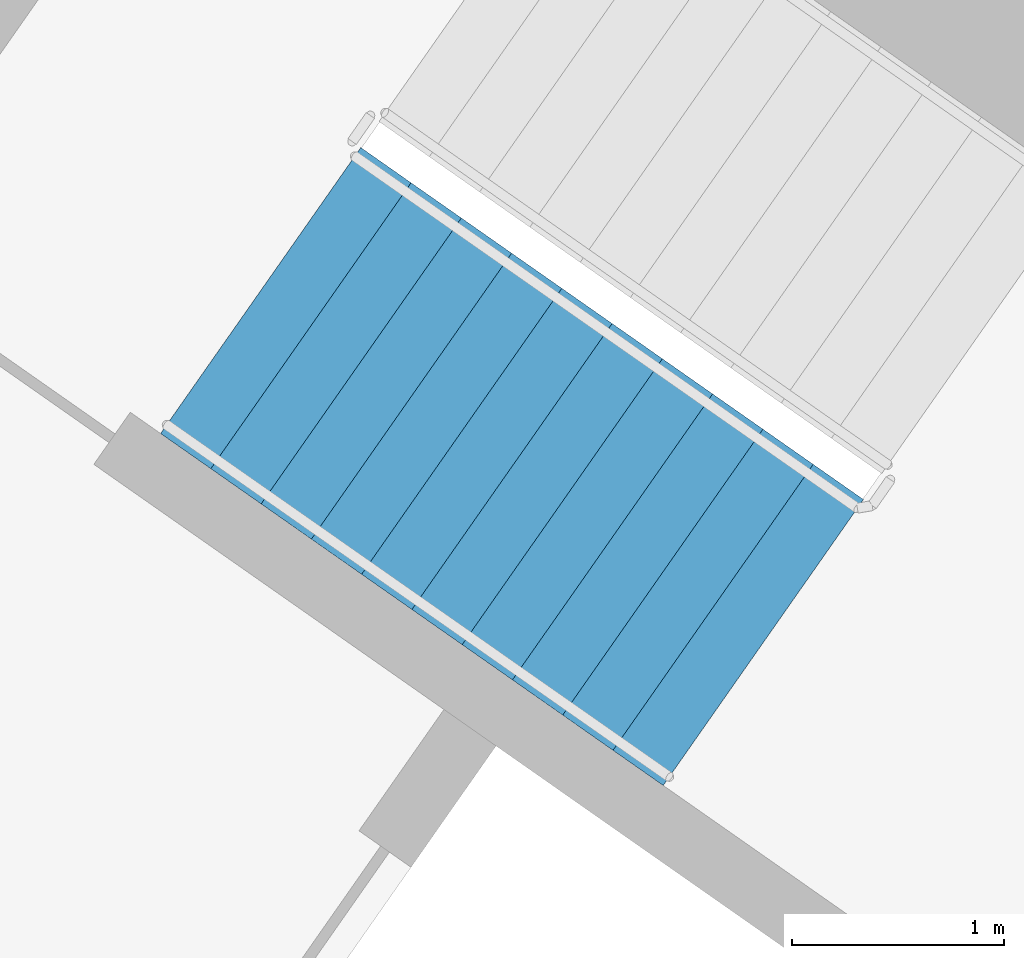
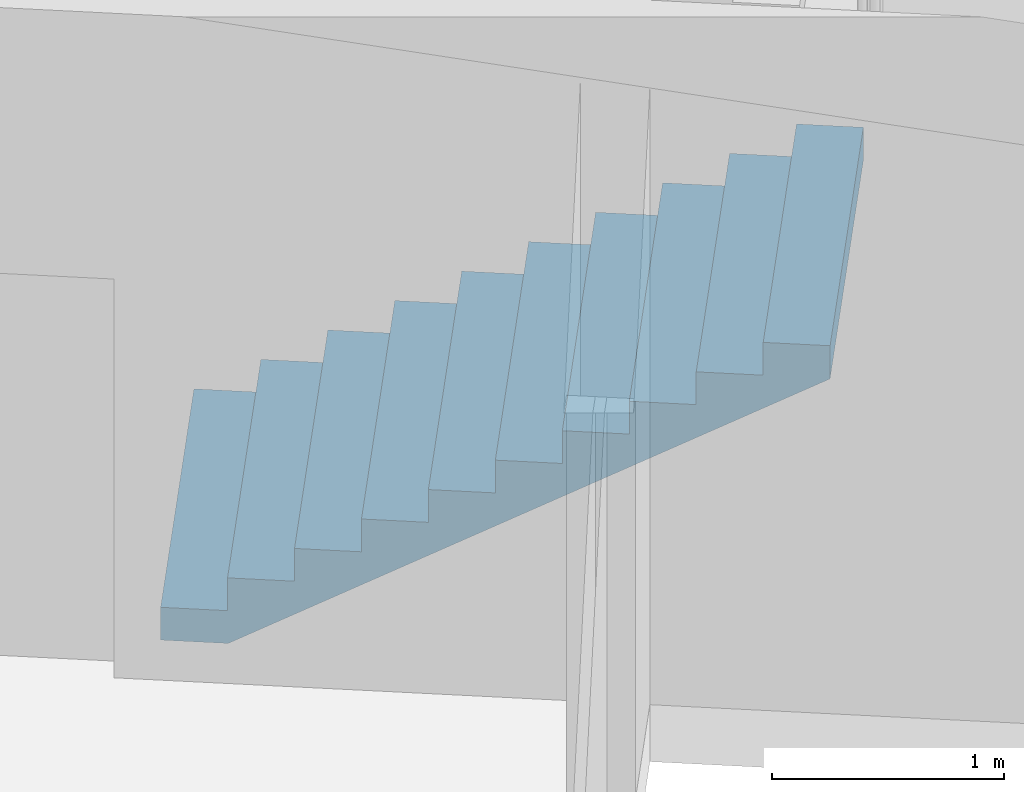
# One storey, part 12 of 29: 1 stair flight, 1 element without a shape of its own.
"""IFC4 building model written with IfcOpenShell, lengths in metres."""

from ifc_helpers import new_model, si_unit, direction, frame, origin, place, context, subcontext, project, spatial, faceted_brep, material, type_object, element, aggregate, save


model = new_model("IFC4")

# Units and contexts
model_context = context("Model", 3, precision=1e-05, world=origin(), true_north=direction((0.0, 1.0)))
body_context = subcontext(model_context, "Body", "Model", "MODEL_VIEW")
ifc_project = project(units=[si_unit("LENGTHUNIT", "METRE"), si_unit("AREAUNIT", "SQUARE_METRE"), si_unit("VOLUMEUNIT", "CUBIC_METRE"), si_unit("PLANEANGLEUNIT", "RADIAN"), si_unit("MASSUNIT", "GRAM", prefix="KILO")], contexts=[model_context])

# Site, building, storey
site_placement = place(None, origin())
site = spatial("IfcSite", under=ifc_project, at=site_placement, CompositionType="ELEMENT")
building_placement = place(site_placement, origin())
building = spatial("IfcBuilding", under=site, at=building_placement, Name="Qamariyya Broadcast Tower", CompositionType="ELEMENT")
storey_placement = place(building_placement, frame((0.0, 0.0, 44.300048828125)))
storey = spatial("IfcBuildingStorey", under=building, at=storey_placement, Name="L07", CompositionType="ELEMENT", Elevation=44.300048828125)

# Stair, stair flight
ifc_material = material(Name="Concrete C50/60", Category="concrete")
stair_type = type_object("IfcStairType", Name="Exit stair 22 risers of 173 mm", PredefinedType="HALF_TURN_STAIR", material=ifc_material)
stair_placement = place(storey_placement, origin())
stair = element("IfcStair", 1, at=stair_placement, inside=storey, type_object=stair_type, Name="L07 Stair W2", PredefinedType="HALF_TURN_STAIR")
stair_flight_type = type_object("IfcStairFlightType", Name="Exit stair flight 11 risers of 173 mm", PredefinedType="STRAIGHT", material=ifc_material)
stair_flight_placement = place(storey_placement, frame((-41.59130859375, -49.15966796875, 0.0), z_axis=(0.0, 0.0, 1.0), x_axis=(0.819152044289, -0.573576436351, 0.0)))
stair_flight = element("IfcStairFlight", 2, at=stair_flight_placement, type_object=stair_flight_type, Name="ST-W2 flight 1", NumberOfRisers=11, NumberOfTreads=10, PredefinedType="STRAIGHT", RiserHeight=0.172727273, TreadLength=0.29, context=body_context, shape_type="Brep", body=[
    faceted_brep([(0.0, 0.824951171875, 0.0), (0.0, 0.824951171875, 0.172607421875), (0.2900390625, 0.824951171875, 0.172607421875), (0.2900390625, 0.824951171875, 0.345458984375), (0.580078125, 0.824951171875, 0.345458984375), (0.580078125, 0.824951171875, 0.51806640625), (0.8701171875, 0.824951171875, 0.51806640625), (0.8701171875, 0.824951171875, 0.69091796875), (1.159912109375, 0.824951171875, 0.69091796875), (1.159912109375, 0.824951171875, 0.863525390625), (1.449951171875, 0.824951171875, 0.863525390625), (1.449951171875, 0.824951171875, 1.036376953125), (1.739990234375, 0.824951171875, 1.036376953125), (1.739990234375, 0.824951171875, 1.208984375), (2.030029296875, 0.824951171875, 1.208984375), (2.030029296875, 0.824951171875, 1.3818359375), (2.320068359375, 0.824951171875, 1.3818359375), (2.320068359375, 0.824951171875, 1.554443359375), (2.610107421875, 0.824951171875, 1.554443359375), (2.610107421875, 0.824951171875, 1.727294921875), (2.89990234375, 0.824951171875, 1.727294921875), (2.89990234375, 0.824951171875, 1.552734375), (0.29296875, 0.824951171875, 0.0), (0.29296875, -0.824951171875, 0.0), (2.89990234375, -0.824951171875, 1.552734375), (2.89990234375, -0.824951171875, 1.727294921875), (2.610107421875, -0.824951171875, 1.727294921875), (2.610107421875, -0.824951171875, 1.554443359375), (2.320068359375, -0.824951171875, 1.554443359375), (2.320068359375, -0.824951171875, 1.3818359375), (2.030029296875, -0.824951171875, 1.3818359375), (2.030029296875, -0.824951171875, 1.208984375), (1.739990234375, -0.824951171875, 1.208984375), (1.739990234375, -0.824951171875, 1.036376953125), (1.449951171875, -0.824951171875, 1.036376953125), (1.449951171875, -0.824951171875, 0.863525390625), (1.159912109375, -0.824951171875, 0.863525390625), (1.159912109375, -0.824951171875, 0.69091796875), (0.8701171875, -0.824951171875, 0.69091796875), (0.8701171875, -0.824951171875, 0.51806640625), (0.580078125, -0.824951171875, 0.51806640625), (0.580078125, -0.824951171875, 0.345458984375), (0.2900390625, -0.824951171875, 0.345458984375), (0.2900390625, -0.824951171875, 0.172607421875), (0.0, -0.824951171875, 0.172607421875), (0.0, -0.824951171875, 0.0), (0.0, 0.10009765625, 0.0), (0.0, 0.086669921875, 0.0), (0.0, 0.0732421875, 0.0), (0.0, 0.06005859375, 0.0), (0.0, 0.046630859375, 0.0), (0.0, 0.033447265625, 0.0), (0.0, 0.02001953125, 0.0), (0.0, 0.006591796875, 0.0), (0.0, -0.006591796875, 0.0), (0.0, -0.02001953125, 0.0), (0.0, -0.033447265625, 0.0), (0.0, -0.046630859375, 0.0), (0.0, -0.06005859375, 0.0), (0.0, -0.0732421875, 0.0), (0.0, -0.086669921875, 0.0), (0.0, -0.10009765625, 0.0), (0.0, -0.10009765625, 0.172607421875), (0.0, -0.086669921875, 0.172607421875), (0.0, -0.0732421875, 0.172607421875), (0.0, -0.06005859375, 0.172607421875), (0.0, -0.046630859375, 0.172607421875), (0.0, -0.033447265625, 0.172607421875), (0.0, -0.02001953125, 0.172607421875), (0.0, -0.006591796875, 0.172607421875), (0.0, 0.006591796875, 0.172607421875), (0.0, 0.02001953125, 0.172607421875), (0.0, 0.033447265625, 0.172607421875), (0.0, 0.046630859375, 0.172607421875), (0.0, 0.06005859375, 0.172607421875), (0.0, 0.0732421875, 0.172607421875), (0.0, 0.086669921875, 0.172607421875), (0.0, 0.10009765625, 0.172607421875), (0.2900390625, -0.10009765625, 0.172607421875), (0.2900390625, -0.086669921875, 0.172607421875), (0.2900390625, -0.0732421875, 0.172607421875), (0.2900390625, -0.06005859375, 0.172607421875), (0.2900390625, -0.046630859375, 0.172607421875), (0.2900390625, -0.033447265625, 0.172607421875), (0.2900390625, -0.02001953125, 0.172607421875), (0.2900390625, -0.006591796875, 0.172607421875), (0.2900390625, 0.006591796875, 0.172607421875), (0.2900390625, 0.02001953125, 0.172607421875), (0.2900390625, 0.033447265625, 0.172607421875), (0.2900390625, 0.046630859375, 0.172607421875), (0.2900390625, 0.06005859375, 0.172607421875), (0.2900390625, 0.0732421875, 0.172607421875), (0.2900390625, 0.086669921875, 0.172607421875), (0.2900390625, 0.10009765625, 0.172607421875), (0.2900390625, -0.10009765625, 0.345458984375), (0.2900390625, -0.086669921875, 0.345458984375), (0.2900390625, -0.0732421875, 0.345458984375), (0.2900390625, -0.06005859375, 0.345458984375), (0.2900390625, -0.046630859375, 0.345458984375), (0.2900390625, -0.033447265625, 0.345458984375), (0.2900390625, -0.02001953125, 0.345458984375), (0.2900390625, -0.006591796875, 0.345458984375), (0.2900390625, 0.006591796875, 0.345458984375), (0.2900390625, 0.02001953125, 0.345458984375), (0.2900390625, 0.033447265625, 0.345458984375), (0.2900390625, 0.046630859375, 0.345458984375), (0.2900390625, 0.06005859375, 0.345458984375), (0.2900390625, 0.0732421875, 0.345458984375), (0.2900390625, 0.086669921875, 0.345458984375), (0.2900390625, 0.10009765625, 0.345458984375), (0.580078125, -0.10009765625, 0.345458984375), (0.580078125, -0.086669921875, 0.345458984375), (0.580078125, -0.0732421875, 0.345458984375), (0.580078125, -0.06005859375, 0.345458984375), (0.580078125, -0.046630859375, 0.345458984375), (0.580078125, -0.033447265625, 0.345458984375), (0.580078125, -0.02001953125, 0.345458984375), (0.580078125, -0.006591796875, 0.345458984375), (0.580078125, 0.006591796875, 0.345458984375), (0.580078125, 0.02001953125, 0.345458984375), (0.580078125, 0.033447265625, 0.345458984375), (0.580078125, 0.046630859375, 0.345458984375), (0.580078125, 0.06005859375, 0.345458984375), (0.580078125, 0.0732421875, 0.345458984375), (0.580078125, 0.086669921875, 0.345458984375), (0.580078125, 0.10009765625, 0.345458984375), (0.580078125, -0.10009765625, 0.51806640625), (0.580078125, -0.086669921875, 0.51806640625), (0.580078125, -0.0732421875, 0.51806640625), (0.580078125, -0.06005859375, 0.51806640625), (0.580078125, -0.046630859375, 0.51806640625), (0.580078125, -0.033447265625, 0.51806640625), (0.580078125, -0.02001953125, 0.51806640625), (0.580078125, -0.006591796875, 0.51806640625), (0.580078125, 0.006591796875, 0.51806640625), (0.580078125, 0.02001953125, 0.51806640625), (0.580078125, 0.033447265625, 0.51806640625), (0.580078125, 0.046630859375, 0.51806640625), (0.580078125, 0.06005859375, 0.51806640625), (0.580078125, 0.0732421875, 0.51806640625), (0.580078125, 0.086669921875, 0.51806640625), (0.580078125, 0.10009765625, 0.51806640625), (0.8701171875, -0.10009765625, 0.51806640625), (0.8701171875, -0.086669921875, 0.51806640625), (0.8701171875, -0.0732421875, 0.51806640625), (0.8701171875, -0.06005859375, 0.51806640625), (0.8701171875, -0.046630859375, 0.51806640625), (0.8701171875, -0.033447265625, 0.51806640625), (0.8701171875, -0.02001953125, 0.51806640625), (0.8701171875, -0.006591796875, 0.51806640625), (0.8701171875, 0.006591796875, 0.51806640625), (0.8701171875, 0.02001953125, 0.51806640625), (0.8701171875, 0.033447265625, 0.51806640625), (0.8701171875, 0.046630859375, 0.51806640625), (0.8701171875, 0.06005859375, 0.51806640625), (0.8701171875, 0.0732421875, 0.51806640625), (0.8701171875, 0.086669921875, 0.51806640625), (0.8701171875, 0.10009765625, 0.51806640625), (0.8701171875, -0.10009765625, 0.69091796875), (0.8701171875, -0.086669921875, 0.69091796875), (0.8701171875, -0.0732421875, 0.69091796875), (0.8701171875, -0.06005859375, 0.69091796875), (0.8701171875, -0.046630859375, 0.69091796875), (0.8701171875, -0.033447265625, 0.69091796875), (0.8701171875, -0.02001953125, 0.69091796875), (0.8701171875, -0.006591796875, 0.69091796875), (0.8701171875, 0.006591796875, 0.69091796875), (0.8701171875, 0.02001953125, 0.69091796875), (0.8701171875, 0.033447265625, 0.69091796875), (0.8701171875, 0.046630859375, 0.69091796875), (0.8701171875, 0.06005859375, 0.69091796875), (0.8701171875, 0.0732421875, 0.69091796875), (0.8701171875, 0.086669921875, 0.69091796875), (0.8701171875, 0.10009765625, 0.69091796875), (1.159912109375, -0.10009765625, 0.69091796875), (1.159912109375, -0.086669921875, 0.69091796875), (1.159912109375, -0.0732421875, 0.69091796875), (1.159912109375, -0.06005859375, 0.69091796875), (1.159912109375, -0.046630859375, 0.69091796875), (1.159912109375, -0.033447265625, 0.69091796875), (1.159912109375, -0.02001953125, 0.69091796875), (1.159912109375, -0.006591796875, 0.69091796875), (1.159912109375, 0.006591796875, 0.69091796875), (1.159912109375, 0.02001953125, 0.69091796875), (1.159912109375, 0.033447265625, 0.69091796875), (1.159912109375, 0.046630859375, 0.69091796875), (1.159912109375, 0.06005859375, 0.69091796875), (1.159912109375, 0.0732421875, 0.69091796875), (1.159912109375, 0.086669921875, 0.69091796875), (1.159912109375, 0.10009765625, 0.69091796875), (1.159912109375, -0.10009765625, 0.863525390625), (1.159912109375, -0.086669921875, 0.863525390625), (1.159912109375, -0.0732421875, 0.863525390625), (1.159912109375, -0.06005859375, 0.863525390625), (1.159912109375, -0.046630859375, 0.863525390625), (1.159912109375, -0.033447265625, 0.863525390625), (1.159912109375, -0.02001953125, 0.863525390625), (1.159912109375, -0.006591796875, 0.863525390625), (1.159912109375, 0.006591796875, 0.863525390625), (1.159912109375, 0.02001953125, 0.863525390625), (1.159912109375, 0.033447265625, 0.863525390625), (1.159912109375, 0.046630859375, 0.863525390625), (1.159912109375, 0.06005859375, 0.863525390625), (1.159912109375, 0.0732421875, 0.863525390625), (1.159912109375, 0.086669921875, 0.863525390625), (1.159912109375, 0.10009765625, 0.863525390625), (1.449951171875, -0.10009765625, 0.863525390625), (1.449951171875, -0.086669921875, 0.863525390625), (1.449951171875, -0.0732421875, 0.863525390625), (1.449951171875, -0.06005859375, 0.863525390625), (1.449951171875, -0.046630859375, 0.863525390625), (1.449951171875, -0.033447265625, 0.863525390625), (1.449951171875, -0.02001953125, 0.863525390625), (1.449951171875, -0.006591796875, 0.863525390625), (1.449951171875, 0.006591796875, 0.863525390625), (1.449951171875, 0.02001953125, 0.863525390625), (1.449951171875, 0.033447265625, 0.863525390625), (1.449951171875, 0.046630859375, 0.863525390625), (1.449951171875, 0.06005859375, 0.863525390625), (1.449951171875, 0.0732421875, 0.863525390625), (1.449951171875, 0.086669921875, 0.863525390625), (1.449951171875, 0.10009765625, 0.863525390625), (1.449951171875, -0.10009765625, 1.036376953125), (1.449951171875, -0.086669921875, 1.036376953125), (1.449951171875, -0.0732421875, 1.036376953125), (1.449951171875, -0.06005859375, 1.036376953125), (1.449951171875, -0.046630859375, 1.036376953125), (1.449951171875, -0.033447265625, 1.036376953125), (1.449951171875, -0.02001953125, 1.036376953125), (1.449951171875, -0.006591796875, 1.036376953125), (1.449951171875, 0.006591796875, 1.036376953125), (1.449951171875, 0.02001953125, 1.036376953125), (1.449951171875, 0.033447265625, 1.036376953125), (1.449951171875, 0.046630859375, 1.036376953125), (1.449951171875, 0.06005859375, 1.036376953125), (1.449951171875, 0.0732421875, 1.036376953125), (1.449951171875, 0.086669921875, 1.036376953125), (1.449951171875, 0.10009765625, 1.036376953125), (1.739990234375, -0.10009765625, 1.036376953125), (1.739990234375, -0.086669921875, 1.036376953125), (1.739990234375, -0.0732421875, 1.036376953125), (1.739990234375, -0.06005859375, 1.036376953125), (1.739990234375, -0.046630859375, 1.036376953125), (1.739990234375, -0.033447265625, 1.036376953125), (1.739990234375, -0.02001953125, 1.036376953125), (1.739990234375, -0.006591796875, 1.036376953125), (1.739990234375, 0.006591796875, 1.036376953125), (1.739990234375, 0.02001953125, 1.036376953125), (1.739990234375, 0.033447265625, 1.036376953125), (1.739990234375, 0.046630859375, 1.036376953125), (1.739990234375, 0.06005859375, 1.036376953125), (1.739990234375, 0.0732421875, 1.036376953125), (1.739990234375, 0.086669921875, 1.036376953125), (1.739990234375, 0.10009765625, 1.036376953125), (1.739990234375, -0.10009765625, 1.208984375), (1.739990234375, -0.086669921875, 1.208984375), (1.739990234375, -0.0732421875, 1.208984375), (1.739990234375, -0.06005859375, 1.208984375), (1.739990234375, -0.046630859375, 1.208984375), (1.739990234375, -0.033447265625, 1.208984375), (1.739990234375, -0.02001953125, 1.208984375), (1.739990234375, -0.006591796875, 1.208984375), (1.739990234375, 0.006591796875, 1.208984375), (1.739990234375, 0.02001953125, 1.208984375), (1.739990234375, 0.033447265625, 1.208984375), (1.739990234375, 0.046630859375, 1.208984375), (1.739990234375, 0.06005859375, 1.208984375), (1.739990234375, 0.0732421875, 1.208984375), (1.739990234375, 0.086669921875, 1.208984375), (1.739990234375, 0.10009765625, 1.208984375), (2.030029296875, -0.10009765625, 1.208984375), (2.030029296875, -0.086669921875, 1.208984375), (2.030029296875, -0.0732421875, 1.208984375), (2.030029296875, -0.06005859375, 1.208984375), (2.030029296875, -0.046630859375, 1.208984375), (2.030029296875, -0.033447265625, 1.208984375), (2.030029296875, -0.02001953125, 1.208984375), (2.030029296875, -0.006591796875, 1.208984375), (2.030029296875, 0.006591796875, 1.208984375), (2.030029296875, 0.02001953125, 1.208984375), (2.030029296875, 0.033447265625, 1.208984375), (2.030029296875, 0.046630859375, 1.208984375), (2.030029296875, 0.06005859375, 1.208984375), (2.030029296875, 0.0732421875, 1.208984375), (2.030029296875, 0.086669921875, 1.208984375), (2.030029296875, 0.10009765625, 1.208984375), (2.030029296875, -0.10009765625, 1.3818359375), (2.030029296875, -0.086669921875, 1.3818359375), (2.030029296875, -0.0732421875, 1.3818359375), (2.030029296875, -0.06005859375, 1.3818359375), (2.030029296875, -0.046630859375, 1.3818359375), (2.030029296875, -0.033447265625, 1.3818359375), (2.030029296875, -0.02001953125, 1.3818359375), (2.030029296875, -0.006591796875, 1.3818359375), (2.030029296875, 0.006591796875, 1.3818359375), (2.030029296875, 0.02001953125, 1.3818359375), (2.030029296875, 0.033447265625, 1.3818359375), (2.030029296875, 0.046630859375, 1.3818359375), (2.030029296875, 0.06005859375, 1.3818359375), (2.030029296875, 0.0732421875, 1.3818359375), (2.030029296875, 0.086669921875, 1.3818359375), (2.030029296875, 0.10009765625, 1.3818359375), (2.320068359375, -0.10009765625, 1.3818359375), (2.320068359375, -0.086669921875, 1.3818359375), (2.320068359375, -0.0732421875, 1.3818359375), (2.320068359375, -0.06005859375, 1.3818359375), (2.320068359375, -0.046630859375, 1.3818359375), (2.320068359375, -0.033447265625, 1.3818359375), (2.320068359375, -0.02001953125, 1.3818359375), (2.320068359375, -0.006591796875, 1.3818359375), (2.320068359375, 0.006591796875, 1.3818359375), (2.320068359375, 0.02001953125, 1.3818359375), (2.320068359375, 0.033447265625, 1.3818359375), (2.320068359375, 0.046630859375, 1.3818359375), (2.320068359375, 0.06005859375, 1.3818359375), (2.320068359375, 0.0732421875, 1.3818359375), (2.320068359375, 0.086669921875, 1.3818359375), (2.320068359375, 0.10009765625, 1.3818359375), (2.320068359375, -0.10009765625, 1.554443359375), (2.320068359375, -0.086669921875, 1.554443359375), (2.320068359375, -0.0732421875, 1.554443359375), (2.320068359375, -0.06005859375, 1.554443359375), (2.320068359375, -0.046630859375, 1.554443359375), (2.320068359375, -0.033447265625, 1.554443359375), (2.320068359375, -0.02001953125, 1.554443359375), (2.320068359375, -0.006591796875, 1.554443359375), (2.320068359375, 0.006591796875, 1.554443359375), (2.320068359375, 0.02001953125, 1.554443359375), (2.320068359375, 0.033447265625, 1.554443359375), (2.320068359375, 0.046630859375, 1.554443359375), (2.320068359375, 0.06005859375, 1.554443359375), (2.320068359375, 0.0732421875, 1.554443359375), (2.320068359375, 0.086669921875, 1.554443359375), (2.320068359375, 0.10009765625, 1.554443359375), (2.610107421875, -0.10009765625, 1.554443359375), (2.610107421875, -0.086669921875, 1.554443359375), (2.610107421875, -0.0732421875, 1.554443359375), (2.610107421875, -0.06005859375, 1.554443359375), (2.610107421875, -0.046630859375, 1.554443359375), (2.610107421875, -0.033447265625, 1.554443359375), (2.610107421875, -0.02001953125, 1.554443359375), (2.610107421875, -0.006591796875, 1.554443359375), (2.610107421875, 0.006591796875, 1.554443359375), (2.610107421875, 0.02001953125, 1.554443359375), (2.610107421875, 0.033447265625, 1.554443359375), (2.610107421875, 0.046630859375, 1.554443359375), (2.610107421875, 0.06005859375, 1.554443359375), (2.610107421875, 0.0732421875, 1.554443359375), (2.610107421875, 0.086669921875, 1.554443359375), (2.610107421875, 0.10009765625, 1.554443359375), (2.610107421875, -0.10009765625, 1.727294921875), (2.610107421875, -0.086669921875, 1.727294921875), (2.610107421875, -0.0732421875, 1.727294921875), (2.610107421875, -0.06005859375, 1.727294921875), (2.610107421875, -0.046630859375, 1.727294921875), (2.610107421875, -0.033447265625, 1.727294921875), (2.610107421875, -0.02001953125, 1.727294921875), (2.610107421875, -0.006591796875, 1.727294921875), (2.610107421875, 0.006591796875, 1.727294921875), (2.610107421875, 0.02001953125, 1.727294921875), (2.610107421875, 0.033447265625, 1.727294921875), (2.610107421875, 0.046630859375, 1.727294921875), (2.610107421875, 0.06005859375, 1.727294921875), (2.610107421875, 0.0732421875, 1.727294921875), (2.610107421875, 0.086669921875, 1.727294921875), (2.610107421875, 0.10009765625, 1.727294921875), (2.89990234375, -0.10009765625, 1.727294921875), (2.89990234375, -0.086669921875, 1.727294921875), (2.89990234375, -0.0732421875, 1.727294921875), (2.89990234375, -0.06005859375, 1.727294921875), (2.89990234375, -0.046630859375, 1.727294921875), (2.89990234375, -0.033447265625, 1.727294921875), (2.89990234375, -0.02001953125, 1.727294921875), (2.89990234375, -0.006591796875, 1.727294921875), (2.89990234375, 0.006591796875, 1.727294921875), (2.89990234375, 0.02001953125, 1.727294921875), (2.89990234375, 0.033447265625, 1.727294921875), (2.89990234375, 0.046630859375, 1.727294921875), (2.89990234375, 0.06005859375, 1.727294921875), (2.89990234375, 0.0732421875, 1.727294921875), (2.89990234375, 0.086669921875, 1.727294921875), (2.89990234375, 0.10009765625, 1.727294921875), (2.89990234375, -0.10009765625, 1.552734375), (2.89990234375, -0.086669921875, 1.552734375), (2.89990234375, -0.0732421875, 1.552734375), (2.89990234375, -0.06005859375, 1.552734375), (2.89990234375, -0.046630859375, 1.552734375), (2.89990234375, -0.033447265625, 1.552734375), (2.89990234375, -0.02001953125, 1.552734375), (2.89990234375, -0.006591796875, 1.552734375), (2.89990234375, 0.006591796875, 1.552734375), (2.89990234375, 0.02001953125, 1.552734375), (2.89990234375, 0.033447265625, 1.552734375), (2.89990234375, 0.046630859375, 1.552734375), (2.89990234375, 0.06005859375, 1.552734375), (2.89990234375, 0.0732421875, 1.552734375), (2.89990234375, 0.086669921875, 1.552734375), (2.89990234375, 0.10009765625, 1.552734375), (0.29296875, -0.10009765625, 0.0), (0.29296875, -0.086669921875, 0.0), (0.29296875, -0.0732421875, 0.0), (0.29296875, -0.06005859375, 0.0), (0.29296875, -0.046630859375, 0.0), (0.29296875, -0.033447265625, 0.0), (0.29296875, -0.02001953125, 0.0), (0.29296875, -0.006591796875, 0.0), (0.29296875, 0.006591796875, 0.0), (0.29296875, 0.02001953125, 0.0), (0.29296875, 0.033447265625, 0.0), (0.29296875, 0.046630859375, 0.0), (0.29296875, 0.06005859375, 0.0), (0.29296875, 0.0732421875, 0.0), (0.29296875, 0.086669921875, 0.0), (0.29296875, 0.10009765625, 0.0)], [[[0, 1, 2, 3, 4, 5, 6, 7, 8, 9, 10, 11, 12, 13, 14, 15, 16, 17, 18, 19, 20, 21, 22]], [[23, 24, 25, 26, 27, 28, 29, 30, 31, 32, 33, 34, 35, 36, 37, 38, 39, 40, 41, 42, 43, 44, 45]], [[0, 46, 47, 48, 49, 50, 51, 52, 53, 54, 55, 56, 57, 58, 59, 60, 61, 45, 44, 62, 63, 64, 65, 66, 67, 68, 69, 70, 71, 72, 73, 74, 75, 76, 77, 1]], [[1, 77, 76, 75, 74, 73, 72, 71, 70, 69, 68, 67, 66, 65, 64, 63, 62, 44, 43, 78, 79, 80, 81, 82, 83, 84, 85, 86, 87, 88, 89, 90, 91, 92, 93, 2]], [[2, 93, 92, 91, 90, 89, 88, 87, 86, 85, 84, 83, 82, 81, 80, 79, 78, 43, 42, 94, 95, 96, 97, 98, 99, 100, 101, 102, 103, 104, 105, 106, 107, 108, 109, 3]], [[3, 109, 108, 107, 106, 105, 104, 103, 102, 101, 100, 99, 98, 97, 96, 95, 94, 42, 41, 110, 111, 112, 113, 114, 115, 116, 117, 118, 119, 120, 121, 122, 123, 124, 125, 4]], [[4, 125, 124, 123, 122, 121, 120, 119, 118, 117, 116, 115, 114, 113, 112, 111, 110, 41, 40, 126, 127, 128, 129, 130, 131, 132, 133, 134, 135, 136, 137, 138, 139, 140, 141, 5]], [[5, 141, 140, 139, 138, 137, 136, 135, 134, 133, 132, 131, 130, 129, 128, 127, 126, 40, 39, 142, 143, 144, 145, 146, 147, 148, 149, 150, 151, 152, 153, 154, 155, 156, 157, 6]], [[6, 157, 156, 155, 154, 153, 152, 151, 150, 149, 148, 147, 146, 145, 144, 143, 142, 39, 38, 158, 159, 160, 161, 162, 163, 164, 165, 166, 167, 168, 169, 170, 171, 172, 173, 7]], [[7, 173, 172, 171, 170, 169, 168, 167, 166, 165, 164, 163, 162, 161, 160, 159, 158, 38, 37, 174, 175, 176, 177, 178, 179, 180, 181, 182, 183, 184, 185, 186, 187, 188, 189, 8]], [[8, 189, 188, 187, 186, 185, 184, 183, 182, 181, 180, 179, 178, 177, 176, 175, 174, 37, 36, 190, 191, 192, 193, 194, 195, 196, 197, 198, 199, 200, 201, 202, 203, 204, 205, 9]], [[9, 205, 204, 203, 202, 201, 200, 199, 198, 197, 196, 195, 194, 193, 192, 191, 190, 36, 35, 206, 207, 208, 209, 210, 211, 212, 213, 214, 215, 216, 217, 218, 219, 220, 221, 10]], [[10, 221, 220, 219, 218, 217, 216, 215, 214, 213, 212, 211, 210, 209, 208, 207, 206, 35, 34, 222, 223, 224, 225, 226, 227, 228, 229, 230, 231, 232, 233, 234, 235, 236, 237, 11]], [[11, 237, 236, 235, 234, 233, 232, 231, 230, 229, 228, 227, 226, 225, 224, 223, 222, 34, 33, 238, 239, 240, 241, 242, 243, 244, 245, 246, 247, 248, 249, 250, 251, 252, 253, 12]], [[12, 253, 252, 251, 250, 249, 248, 247, 246, 245, 244, 243, 242, 241, 240, 239, 238, 33, 32, 254, 255, 256, 257, 258, 259, 260, 261, 262, 263, 264, 265, 266, 267, 268, 269, 13]], [[13, 269, 268, 267, 266, 265, 264, 263, 262, 261, 260, 259, 258, 257, 256, 255, 254, 32, 31, 270, 271, 272, 273, 274, 275, 276, 277, 278, 279, 280, 281, 282, 283, 284, 285, 14]], [[14, 285, 284, 283, 282, 281, 280, 279, 278, 277, 276, 275, 274, 273, 272, 271, 270, 31, 30, 286, 287, 288, 289, 290, 291, 292, 293, 294, 295, 296, 297, 298, 299, 300, 301, 15]], [[15, 301, 300, 299, 298, 297, 296, 295, 294, 293, 292, 291, 290, 289, 288, 287, 286, 30, 29, 302, 303, 304, 305, 306, 307, 308, 309, 310, 311, 312, 313, 314, 315, 316, 317, 16]], [[16, 317, 316, 315, 314, 313, 312, 311, 310, 309, 308, 307, 306, 305, 304, 303, 302, 29, 28, 318, 319, 320, 321, 322, 323, 324, 325, 326, 327, 328, 329, 330, 331, 332, 333, 17]], [[17, 333, 332, 331, 330, 329, 328, 327, 326, 325, 324, 323, 322, 321, 320, 319, 318, 28, 27, 334, 335, 336, 337, 338, 339, 340, 341, 342, 343, 344, 345, 346, 347, 348, 349, 18]], [[18, 349, 348, 347, 346, 345, 344, 343, 342, 341, 340, 339, 338, 337, 336, 335, 334, 27, 26, 350, 351, 352, 353, 354, 355, 356, 357, 358, 359, 360, 361, 362, 363, 364, 365, 19]], [[19, 365, 364, 363, 362, 361, 360, 359, 358, 357, 356, 355, 354, 353, 352, 351, 350, 26, 25, 366, 367, 368, 369, 370, 371, 372, 373, 374, 375, 376, 377, 378, 379, 380, 381, 20]], [[20, 381, 380, 379, 378, 377, 376, 375, 374, 373, 372, 371, 370, 369, 368, 367, 366, 25, 24, 382, 383, 384, 385, 386, 387, 388, 389, 390, 391, 392, 393, 394, 395, 396, 397, 21]], [[21, 397, 396, 395, 394, 393, 392, 391, 390, 389, 388, 387, 386, 385, 384, 383, 382, 24, 23, 398, 399, 400, 401, 402, 403, 404, 405, 406, 407, 408, 409, 410, 411, 412, 413, 22]], [[22, 413, 412, 411, 410, 409, 408, 407, 406, 405, 404, 403, 402, 401, 400, 399, 398, 23, 45, 61, 60, 59, 58, 57, 56, 55, 54, 53, 52, 51, 50, 49, 48, 47, 46, 0]]]),
])
aggregate(stair, [stair_flight])

save(model, "model.ifc")
